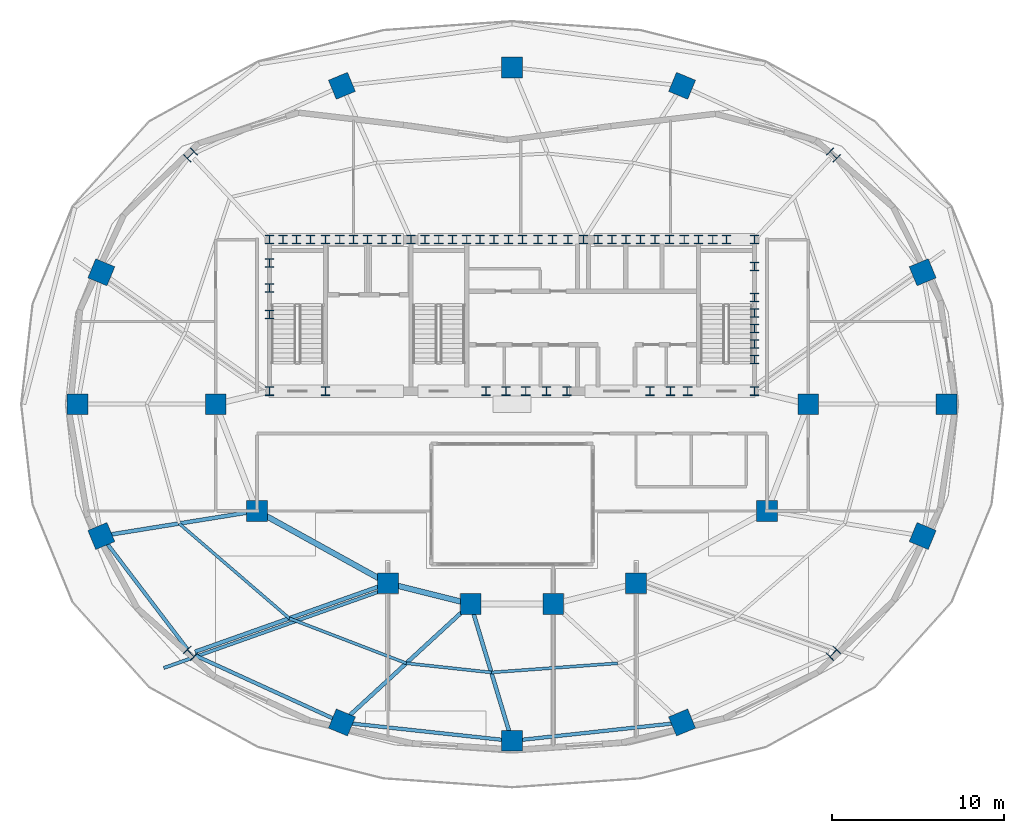
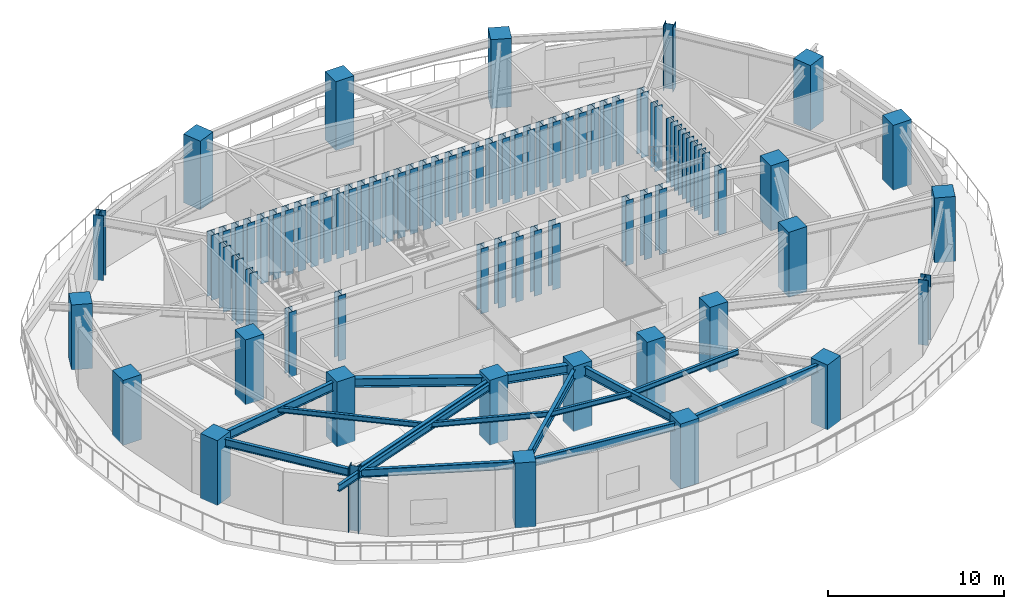
# One storey, part 1 of 11: 78 columns, 15 beams.
"""IFC4 building model written with IfcOpenShell, lengths in metres."""

from ifc_helpers import new_model, si_unit, direction, frame, origin, origin_2d, place, context, subcontext, project, spatial, rectangle, i_section, extrude, material, material_profile, profile_set, type_object, element, save


model = new_model("IFC4")

# Units and contexts
model_context = context("Model", 3, precision=1e-05, world=origin(), true_north=direction((0.0, 1.0)))
body_context = subcontext(model_context, "Body", "Model", "MODEL_VIEW")
ifc_project = project(units=[si_unit("LENGTHUNIT", "METRE"), si_unit("AREAUNIT", "SQUARE_METRE"), si_unit("VOLUMEUNIT", "CUBIC_METRE"), si_unit("PLANEANGLEUNIT", "RADIAN"), si_unit("MASSUNIT", "GRAM", prefix="KILO")], contexts=[model_context])

# Site, building, storey
site_placement = place(None, origin())
site = spatial("IfcSite", under=ifc_project, at=site_placement, CompositionType="ELEMENT")
building_placement = place(site_placement, origin())
building = spatial("IfcBuilding", under=site, at=building_placement, Name="Haldorwick Loom Tower", CompositionType="ELEMENT")
storey_placement = place(building_placement, frame((0.0, 0.0, 131.14990234375)))
storey = spatial("IfcBuildingStorey", under=building, at=storey_placement, Name="L35", CompositionType="ELEMENT", Elevation=131.14990234375)

# Columns
ifc_material_1 = material(Name="Concrete C60 (60 MPa)", Category="concrete")
ifc_material_profile_1 = material_profile(ifc_material_1, rectangle(XDim=1.199951171875, YDim=1.199951171875, at=origin_2d()), Name="RC1200X1200", Category="concrete")
ifc_profile_set_1 = profile_set([ifc_material_profile_1], Name="Concrete C60 (60 MPa)")
column_type_1 = type_object("IfcColumnType", Name="STR-COL-RC1200", PredefinedType="COLUMN", material=ifc_profile_set_1)
for number, where, z_axis, x_axis, name in (
    (1, (53.199951171875, 26.0, 0.0), (0.0, 0.0, 1.0), (1.0, 0.0, 0.0), "L35 Inner Column IC-01"),
    (2, (50.800048828125, 19.800048828125, 0.0), (0.0, 0.0, 1.0), (1.0, 0.0, 0.0), "L35 Inner Column IC-02"),
    (3, (43.199951171875, 15.60009765625, 0.0), (0.0, 0.0, 1.0), (1.0, 0.0, 0.0), "L35 Inner Column IC-03"),
    (4, (38.39990234375, 14.39990234375, 0.0), (0.0, 0.0, 1.0), (1.0, 0.0, 0.0), "L35 Inner Column IC-04"),
    (5, (33.60009765625, 14.39990234375, 0.0), (0.0, 0.0, 1.0), (1.0, 0.0, 0.0), "L35 Inner Column IC-05"),
    (6, (28.800048828125, 15.60009765625, 0.0), (0.0, 0.0, 1.0), (1.0, 0.0, 0.0), "L35 Inner Column IC-06"),
    (7, (21.199951171875, 19.800048828125, 0.0), (0.0, 0.0, 1.0), (1.0, 0.0, 0.0), "L35 Inner Column IC-07"),
    (8, (18.800048828125, 26.0, 0.0), (0.0, 0.0, 1.0), (1.0, 0.0, 0.0), "L35 Inner Column IC-08"),
    (9, (61.217041015625, 26.0, 0.0), (0.0, 0.0, 1.0), (1.0, 0.0, 0.0), "L35 Perimeter Pier Column P01"),
    (10, (59.836181640625, 33.65380859375, 0.0), (0.0, 0.0, 1.0), (0.923879532511, 0.382683432365, 0.0), "L35 Perimeter Pier Column P02"),
):
    element("IfcColumn", number, at=place(storey_placement, frame(where, z_axis=z_axis, x_axis=x_axis)), inside=storey, type_object=column_type_1, Name=name, PredefinedType="COLUMN", context=body_context, shape_type="SweptSolid", body=[
        extrude(rectangle(XDim=1.199951171875, YDim=1.199951171875, at=origin_2d()), origin(), (0.0, 0.0, 1.0), 4.5),
    ])
for number, where, z_axis, x_axis, name in (
    (11, (45.873291015625, 44.4775390625, -0.260009765625), (0.0, 0.0, 1.0), (0.382683432365, 0.923879532511, 0.0), "L35 Perimeter Pier Column P04"),
    (12, (36.0, 45.544677734375, -0.260009765625), (0.0, 0.0, 1.0), (0.0, 1.0, 0.0), "L35 Perimeter Pier Column P05"),
    (13, (26.126708984375, 44.4775390625, -0.260009765625), (0.0, 0.0, 1.0), (-0.382683432365, 0.923879532511, 0.0), "L35 Perimeter Pier Column P06"),
):
    element("IfcColumn", number, at=place(storey_placement, frame(where, z_axis=z_axis, x_axis=x_axis)), inside=storey, type_object=column_type_1, Name=name, PredefinedType="COLUMN", context=body_context, shape_type="SweptSolid", body=[
        extrude(rectangle(XDim=1.199951171875, YDim=1.199951171875, at=origin_2d()), origin(), (0.0, 0.0, 1.0), 4.760009765625),
    ])
for number, where, z_axis, x_axis, name in (
    (14, (12.163818359375, 33.65380859375, 0.0), (0.0, 0.0, 1.0), (-0.923879532511, 0.382683432365, 0.0), "L35 Perimeter Pier Column P08"),
    (15, (10.782958984375, 26.0, 0.0), (0.0, 0.0, 1.0), (-1.0, 0.0, 0.0), "L35 Perimeter Pier Column P09"),
    (16, (12.163818359375, 18.34619140625, 0.0), (0.0, 0.0, 1.0), (-0.923879532511, -0.382683432365, 0.0), "L35 Perimeter Pier Column P10"),
    (17, (26.126708984375, 7.5224609375, 0.0), (0.0, 0.0, 1.0), (-0.382683432365, -0.923879532511, 0.0), "L35 Perimeter Pier Column P12"),
    (18, (36.0, 6.455322265625, 0.0), (0.0, 0.0, 1.0), (0.0, -1.0, 0.0), "L35 Perimeter Pier Column P13"),
    (19, (45.873291015625, 7.5224609375, 0.0), (0.0, 0.0, 1.0), (0.382683432365, -0.923879532511, 0.0), "L35 Perimeter Pier Column P14"),
    (20, (59.836181640625, 18.34619140625, 0.0), (0.0, 0.0, 1.0), (0.923879532511, -0.382683432365, 0.0), "L35 Perimeter Pier Column P16"),
):
    element("IfcColumn", number, at=place(storey_placement, frame(where, z_axis=z_axis, x_axis=x_axis)), inside=storey, type_object=column_type_1, Name=name, PredefinedType="COLUMN", context=body_context, shape_type="SweptSolid", body=[
        extrude(rectangle(XDim=1.199951171875, YDim=1.199951171875, at=origin_2d()), origin(), (0.0, 0.0, 1.0), 4.5),
    ])
ifc_material_2 = material(Name="Steel CSA G40.21 350WT", Category="steel")
ifc_material_profile_2 = material_profile(ifc_material_2, i_section(OverallWidth=0.5, OverallDepth=0.5, WebThickness=0.02197265625, FlangeThickness=0.031982421875, at=origin_2d()), Name="WWF500X500", Category="steel")
ifc_profile_set_2 = profile_set([ifc_material_profile_2], Name="Steel CSA G40.21 350WT")
column_type_2 = type_object("IfcColumnType", Name="STR-COL-WWF500", PredefinedType="COLUMN", material=ifc_profile_set_2)
for number, where, z_axis, x_axis, name in (
    (21, (21.929931640625, 35.550048828125, 0.0), (0.0, 0.0, 1.0), (1.0, 0.0, 0.0), "L35 Core Pilaster CB-01"),
    (22, (23.5, 35.550048828125, 0.0), (0.0, 0.0, 1.0), (1.0, 0.0, 0.0), "L35 Core Pilaster CB-02"),
    (23, (25.169921875, 35.550048828125, 0.0), (0.0, 0.0, 1.0), (1.0, 0.0, 0.0), "L35 Core Pilaster CB-03"),
    (24, (26.800048828125, 35.550048828125, 0.0), (0.0, 0.0, 1.0), (1.0, 0.0, 0.0), "L35 Core Pilaster CB-04"),
    (25, (28.449951171875, 35.550048828125, 0.0), (0.0, 0.0, 1.0), (1.0, 0.0, 0.0), "L35 Core Pilaster CB-05"),
    (26, (30.1298828125, 35.550048828125, 0.0), (0.0, 0.0, 1.0), (1.0, 0.0, 0.0), "L35 Core Pilaster CB-06"),
    (27, (31.75, 35.550048828125, 0.0), (0.0, 0.0, 1.0), (1.0, 0.0, 0.0), "L35 Core Pilaster CB-07"),
    (28, (33.3701171875, 35.550048828125, 0.0), (0.0, 0.0, 1.0), (1.0, 0.0, 0.0), "L35 Core Pilaster CB-08"),
    (29, (34.949951171875, 35.550048828125, 0.0), (0.0, 0.0, 1.0), (1.0, 0.0, 0.0), "L35 Core Pilaster CB-09"),
    (30, (36.60009765625, 35.550048828125, 0.0), (0.0, 0.0, 1.0), (1.0, 0.0, 0.0), "L35 Core Pilaster CB-10"),
    (31, (38.35009765625, 35.550048828125, 0.0), (0.0, 0.0, 1.0), (1.0, 0.0, 0.0), "L35 Core Pilaster CB-11"),
    (32, (40.14990234375, 35.550048828125, 0.0), (0.0, 0.0, 1.0), (1.0, 0.0, 0.0), "L35 Core Pilaster CB-12"),
    (33, (41.800048828125, 35.550048828125, 0.0), (0.0, 0.0, 1.0), (1.0, 0.0, 0.0), "L35 Core Pilaster CB-13"),
    (34, (43.449951171875, 35.550048828125, 0.0), (0.0, 0.0, 1.0), (1.0, 0.0, 0.0), "L35 Core Pilaster CB-14"),
    (35, (45.14990234375, 35.550048828125, 0.0), (0.0, 0.0, 1.0), (1.0, 0.0, 0.0), "L35 Core Pilaster CB-15"),
    (36, (46.830078125, 35.550048828125, 0.0), (0.0, 0.0, 1.0), (1.0, 0.0, 0.0), "L35 Core Pilaster CB-16"),
    (37, (48.449951171875, 35.550048828125, 0.0), (0.0, 0.0, 1.0), (1.0, 0.0, 0.0), "L35 Core Pilaster CB-17"),
    (38, (50.070068359375, 35.550048828125, 0.0), (0.0, 0.0, 1.0), (1.0, 0.0, 0.0), "L35 Core Pilaster CB-18"),
    (39, (21.929931640625, 26.75, 0.0), (0.0, 0.0, 1.0), (1.0, 0.0, 0.0), "L35 Core Pilaster CB-19"),
    (40, (25.169921875, 26.75, 0.0), (0.0, 0.0, 1.0), (1.0, 0.0, 0.0), "L35 Core Pilaster CB-20"),
    (41, (34.5, 26.75, 0.0), (0.0, 0.0, 1.0), (1.0, 0.0, 0.0), "L35 Core Pilaster CB-21"),
    (42, (36.800048828125, 26.75, 0.0), (0.0, 0.0, 1.0), (1.0, 0.0, 0.0), "L35 Core Pilaster CB-22"),
    (43, (39.199951171875, 26.75, 0.0), (0.0, 0.0, 1.0), (1.0, 0.0, 0.0), "L35 Core Pilaster CB-23"),
    (44, (45.199951171875, 26.75, 0.0), (0.0, 0.0, 1.0), (1.0, 0.0, 0.0), "L35 Core Pilaster CB-24"),
    (45, (50.070068359375, 26.75, 0.0), (0.0, 0.0, 1.0), (1.0, 0.0, 0.0), "L35 Core Pilaster CB-25"),
    (46, (21.929931640625, 31.199951171875, 0.0), (0.0, 0.0, 1.0), (1.0, 0.0, 0.0), "L35 Core Pilaster CB-26"),
    (47, (21.929931640625, 32.75, 0.0), (0.0, 0.0, 1.0), (1.0, 0.0, 0.0), "L35 Core Pilaster CB-27"),
    (48, (21.929931640625, 34.199951171875, 0.0), (0.0, 0.0, 1.0), (1.0, 0.0, 0.0), "L35 Core Pilaster CB-28"),
    (49, (50.070068359375, 28.60009765625, 0.0), (0.0, 0.0, 1.0), (1.0, 0.0, 0.0), "L35 Core Pilaster CB-29"),
    (50, (50.070068359375, 30.39990234375, 0.0), (0.0, 0.0, 1.0), (1.0, 0.0, 0.0), "L35 Core Pilaster CB-30"),
    (51, (50.070068359375, 32.199951171875, 0.0), (0.0, 0.0, 1.0), (1.0, 0.0, 0.0), "L35 Core Pilaster CB-31"),
    (52, (50.070068359375, 34.0, 0.0), (0.0, 0.0, 1.0), (1.0, 0.0, 0.0), "L35 Core Pilaster CB-32"),
    (53, (22.699951171875, 35.550048828125, 0.0), (0.0, 0.0, 1.0), (1.0, 0.0, 0.0), "L35 Core Pilaster CB-33"),
    (54, (27.6201171875, 35.550048828125, 0.0), (0.0, 0.0, 1.0), (1.0, 0.0, 0.0), "L35 Core Pilaster CB-34"),
    (55, (32.550048828125, 35.550048828125, 0.0), (0.0, 0.0, 1.0), (1.0, 0.0, 0.0), "L35 Core Pilaster CB-35"),
    (56, (37.5, 35.550048828125, 0.0), (0.0, 0.0, 1.0), (1.0, 0.0, 0.0), "L35 Core Pilaster CB-36"),
    (57, (42.6201171875, 35.550048828125, 0.0), (0.0, 0.0, 1.0), (1.0, 0.0, 0.0), "L35 Core Pilaster CB-37"),
    (58, (47.64990234375, 35.550048828125, 0.0), (0.0, 0.0, 1.0), (1.0, 0.0, 0.0), "L35 Core Pilaster CB-38"),
    (59, (24.300048828125, 35.550048828125, 0.0), (0.0, 0.0, 1.0), (1.0, 0.0, 0.0), "L35 Core Pilaster CB-39"),
    (60, (26.0, 35.550048828125, 0.0), (0.0, 0.0, 1.0), (1.0, 0.0, 0.0), "L35 Core Pilaster CB-40"),
    (61, (29.300048828125, 35.550048828125, 0.0), (0.0, 0.0, 1.0), (1.0, 0.0, 0.0), "L35 Core Pilaster CB-41"),
    (62, (30.949951171875, 35.550048828125, 0.0), (0.0, 0.0, 1.0), (1.0, 0.0, 0.0), "L35 Core Pilaster CB-42"),
    (63, (34.14990234375, 35.550048828125, 0.0), (0.0, 0.0, 1.0), (1.0, 0.0, 0.0), "L35 Core Pilaster CB-43"),
    (64, (35.800048828125, 35.550048828125, 0.0), (0.0, 0.0, 1.0), (1.0, 0.0, 0.0), "L35 Core Pilaster CB-44"),
    (65, (39.25, 35.550048828125, 0.0), (0.0, 0.0, 1.0), (1.0, 0.0, 0.0), "L35 Core Pilaster CB-45"),
    (66, (41.0, 35.550048828125, 0.0), (0.0, 0.0, 1.0), (1.0, 0.0, 0.0), "L35 Core Pilaster CB-46"),
    (67, (44.300048828125, 35.550048828125, 0.0), (0.0, 0.0, 1.0), (1.0, 0.0, 0.0), "L35 Core Pilaster CB-47"),
    (68, (46.0, 35.550048828125, 0.0), (0.0, 0.0, 1.0), (1.0, 0.0, 0.0), "L35 Core Pilaster CB-48"),
    (69, (50.070068359375, 29.5, 0.0), (0.0, 0.0, 1.0), (1.0, 0.0, 0.0), "L35 Core Pilaster CB-49"),
    (70, (50.070068359375, 31.300048828125, 0.0), (0.0, 0.0, 1.0), (1.0, 0.0, 0.0), "L35 Core Pilaster CB-50"),
    (71, (35.64990234375, 26.75, 0.0), (0.0, 0.0, 1.0), (1.0, 0.0, 0.0), "L35 Core Pilaster CB-51"),
    (72, (38.0, 26.75, 0.0), (0.0, 0.0, 1.0), (1.0, 0.0, 0.0), "L35 Core Pilaster CB-52"),
    (73, (44.0, 26.75, 0.0), (0.0, 0.0, 1.0), (1.0, 0.0, 0.0), "L35 Core Pilaster CB-53"),
    (74, (46.199951171875, 26.75, 0.0), (0.0, 0.0, 1.0), (1.0, 0.0, 0.0), "L35 Core Pilaster CB-54"),
):
    element("IfcColumn", number, at=place(storey_placement, frame(where, z_axis=z_axis, x_axis=x_axis)), inside=storey, type_object=column_type_2, Name=name, PredefinedType="COLUMN", context=body_context, shape_type="SweptSolid", body=[
        extrude(i_section(OverallWidth=0.5, OverallDepth=0.5, WebThickness=0.02197265625, FlangeThickness=0.031982421875, at=origin_2d()), origin(), (0.0, 0.0, 1.0), 4.5),
    ])
ifc_material_profile_3 = material_profile(ifc_material_2, i_section(OverallWidth=0.60009765625, OverallDepth=0.60009765625, WebThickness=0.02490234375, FlangeThickness=0.035888671875, at=origin_2d()), Name="WWF600X600", Category="steel")
ifc_profile_set_3 = profile_set([ifc_material_profile_3], Name="Steel CSA G40.21 350WT")
column_type_3 = type_object("IfcColumnType", Name="STR-COL-WWF600", PredefinedType="COLUMN", material=ifc_profile_set_3)
for number, where, z_axis, x_axis, name in (
    (75, (54.655517578125, 40.464111328125, 0.0), (0.0, 0.0, 1.0), (0.707106781187, 0.707106781187, 0.0), "L35 Perimeter Pier Column P03"),
    (76, (17.344482421875, 40.464111328125, 0.0), (0.0, 0.0, 1.0), (-0.707106781187, 0.707106781187, 0.0), "L35 Perimeter Pier Column P07"),
    (77, (17.344482421875, 11.535888671875, 0.0), (0.0, 0.0, 1.0), (-0.707106781187, -0.707106781187, 0.0), "L35 Perimeter Pier Column P11"),
    (78, (54.655517578125, 11.535888671875, 0.0), (0.0, 0.0, 1.0), (0.707106781187, -0.707106781187, 0.0), "L35 Perimeter Pier Column P15"),
):
    element("IfcColumn", number, at=place(storey_placement, frame(where, z_axis=z_axis, x_axis=x_axis)), inside=storey, type_object=column_type_3, Name=name, PredefinedType="COLUMN", context=body_context, shape_type="SweptSolid", body=[
        extrude(i_section(OverallWidth=0.60009765625, OverallDepth=0.60009765625, WebThickness=0.02490234375, FlangeThickness=0.035888671875, at=origin_2d()), origin(), (0.0, 0.0, 1.0), 4.5),
    ])

# Beams
ifc_material_3 = material(Name="Steel CSA G40.21 350W", Category="steel")
ifc_material_profile_4 = material_profile(ifc_material_3, i_section(OverallWidth=0.193115234375, OverallDepth=0.466064453125, WebThickness=0.011474609375, FlangeThickness=0.01904296875, at=origin_2d()), Name="W460X97", Category="steel")
ifc_profile_set_4 = profile_set([ifc_material_profile_4], Name="Steel CSA G40.21 350W")
beam_type_1 = type_object("IfcBeamType", Name="STR-BM-BAL460", PredefinedType="BEAM", material=ifc_profile_set_4)
beam_1_placement = place(storey_placement, frame((28.403564453125, 15.162109375, 4.027099609375), z_axis=(-0.942447955832, -0.334352883266, 0.0), x_axis=(0.334352883266, -0.942447955832, 0.0)))
element("IfcBeam", 79, at=beam_1_placement, inside=storey, type_object=beam_type_1, Name="L35 Continuous Back-Spanned Balcony Beam 2", PredefinedType="BEAM", context=body_context, shape_type="SweptSolid", body=[
    extrude(i_section(OverallWidth=0.193115234375, OverallDepth=0.466064453125, WebThickness=0.011474609375, FlangeThickness=0.01904296875, at=origin_2d()), origin(), (0.0, 0.0, 1.0), 13.385009765625),
])
ifc_material_profile_5 = material_profile(ifc_material_3, i_section(OverallWidth=0.172119140625, OverallDepth=0.35791015625, WebThickness=0.0078125, FlangeThickness=0.01318359375, at=origin_2d()), Name="W360X57", Category="steel")
ifc_profile_set_5 = profile_set([ifc_material_profile_5], Name="Steel CSA G40.21 350W")
beam_type_2 = type_object("IfcBeamType", Name="STR-BM-J360", PredefinedType="JOIST", material=ifc_profile_set_5)
beam_2_placement = place(storey_placement, frame((16.681884765625, 19.072998046875, 4.0810546875), z_axis=(0.75763401328, -0.652679631918, 0.0), x_axis=(0.652679631918, 0.75763401328, 0.0)))
element("IfcBeam", 80, at=beam_2_placement, inside=storey, type_object=beam_type_2, Name="L35 Mid-Bay Secondary Joist 10", PredefinedType="JOIST", context=body_context, shape_type="SweptSolid", body=[
    extrude(i_section(OverallWidth=0.172119140625, OverallDepth=0.35791015625, WebThickness=0.0078125, FlangeThickness=0.01318359375, at=origin_2d()), origin(), (0.0, 0.0, 1.0), 8.4345703125),
])
beam_3_placement = place(storey_placement, frame((23.072265625, 13.56787109375, 4.0810546875), z_axis=(0.933586737031, -0.358351509609, 0.0), x_axis=(0.358351509609, 0.933586737031, 0.0)))
element("IfcBeam", 81, at=beam_3_placement, inside=storey, type_object=beam_type_2, Name="L35 Mid-Bay Secondary Joist 11", PredefinedType="JOIST", context=body_context, shape_type="SweptSolid", body=[
    extrude(i_section(OverallWidth=0.172119140625, OverallDepth=0.35791015625, WebThickness=0.0078125, FlangeThickness=0.01318359375, at=origin_2d()), origin(), (0.0, 0.0, 1.0), 7.274169921875),
])
beam_4_placement = place(storey_placement, frame((29.86328125, 10.961181640625, 4.0810546875), z_axis=(0.994212584227, -0.107430616514, 0.0), x_axis=(0.107430616514, 0.994212584227, 0.0)))
element("IfcBeam", 82, at=beam_4_placement, inside=storey, type_object=beam_type_2, Name="L35 Mid-Bay Secondary Joist 12", PredefinedType="JOIST", context=body_context, shape_type="SweptSolid", body=[
    extrude(i_section(OverallWidth=0.172119140625, OverallDepth=0.35791015625, WebThickness=0.0078125, FlangeThickness=0.01318359375, at=origin_2d()), origin(), (0.0, 0.0, 1.0), 4.965576171875),
])
beam_5_placement = place(storey_placement, frame((34.800048828125, 10.427734375, 4.0810546875), z_axis=(0.997367082818, 0.072518288109, 0.0), x_axis=(-0.072518288109, 0.997367082818, 0.0)))
element("IfcBeam", 83, at=beam_5_placement, inside=storey, type_object=beam_type_2, Name="L35 Mid-Bay Secondary Joist 13", PredefinedType="JOIST", context=body_context, shape_type="SweptSolid", body=[
    extrude(i_section(OverallWidth=0.172119140625, OverallDepth=0.35791015625, WebThickness=0.0078125, FlangeThickness=0.01318359375, at=origin_2d()), origin(), (0.0, 0.0, 1.0), 7.35595703125),
])
ifc_material_profile_6 = material_profile(ifc_material_3, i_section(OverallWidth=0.2119140625, OverallDepth=0.5439453125, WebThickness=0.01318359375, FlangeThickness=0.021240234375, at=origin_2d()), Name="W530X123", Category="steel")
ifc_profile_set_6 = profile_set([ifc_material_profile_6], Name="Steel CSA G40.21 350W")
beam_type_3 = type_object("IfcBeamType", Name="STR-BM-SP530", PredefinedType="SPANDREL", material=ifc_profile_set_6)
beam_6_placement = place(storey_placement, frame((12.478759765625, 17.932373046875, 3.988037109375), z_axis=(0.605421356486, -0.795905133236, 0.0), x_axis=(0.795905133236, 0.605421356486, 0.0)))
element("IfcBeam", 84, at=beam_6_placement, inside=storey, type_object=beam_type_3, Name="L35 Perimeter Spandrel 10", PredefinedType="SPANDREL", context=body_context, shape_type="SweptSolid", body=[
    extrude(i_section(OverallWidth=0.2119140625, OverallDepth=0.5439453125, WebThickness=0.01318359375, FlangeThickness=0.021240234375, at=origin_2d()), origin(), (0.0, 0.0, 1.0), 7.761962890625),
])
beam_7_placement = place(storey_placement, frame((17.594482421875, 11.42138671875, 3.988037109375), z_axis=(0.909534296496, -0.415628877121, 0.0), x_axis=(0.415628877121, 0.909534296496, 0.0)))
element("IfcBeam", 85, at=beam_7_placement, inside=storey, type_object=beam_type_3, Name="L35 Perimeter Spandrel 11", PredefinedType="SPANDREL", context=body_context, shape_type="SweptSolid", body=[
    extrude(i_section(OverallWidth=0.2119140625, OverallDepth=0.5439453125, WebThickness=0.01318359375, FlangeThickness=0.021240234375, at=origin_2d()), origin(), (0.0, 0.0, 1.0), 8.86083984375),
])
for number, where, z_axis, x_axis, name in (
    (86, (26.643798828125, 7.466552734375, 3.988037109375), (0.994210140187, -0.107453232386, 0.0), (0.107453232386, 0.994210140187, 0.0), "L35 Perimeter Spandrel 12"),
    (87, (36.51708984375, 6.51123046875, 3.988037109375), (0.994210140187, 0.107453232386, 0.0), (-0.107453232386, 0.994210140187, 0.0), "L35 Perimeter Spandrel 13"),
):
    element("IfcBeam", number, at=place(storey_placement, frame(where, z_axis=z_axis, x_axis=x_axis)), inside=storey, type_object=beam_type_3, Name=name, PredefinedType="SPANDREL", context=body_context, shape_type="SweptSolid", body=[
        extrude(i_section(OverallWidth=0.2119140625, OverallDepth=0.5439453125, WebThickness=0.01318359375, FlangeThickness=0.021240234375, at=origin_2d()), origin(), (0.0, 0.0, 1.0), 8.890625),
    ])
ifc_material_profile_7 = material_profile(ifc_material_3, i_section(OverallWidth=0.324951171875, OverallDepth=0.615966796875, WebThickness=0.013916015625, FlangeThickness=0.021484375, at=origin_2d()), Name="W610X174", Category="steel")
ifc_profile_set_7 = profile_set([ifc_material_profile_7], Name="Steel CSA G40.21 350W")
beam_type_4 = type_object("IfcBeamType", Name="STR-BM-W610A", PredefinedType="BEAM", material=ifc_profile_set_7)
beam_8_placement = place(storey_placement, frame((33.095458984375, 14.526123046875, 3.9521484375), z_axis=(-0.970142500145, 0.242535625036, 0.0), x_axis=(-0.242535625036, -0.970142500145, 0.0)))
element("IfcBeam", 88, at=beam_8_placement, inside=storey, type_object=beam_type_4, Name="L35 Inner Ring Girder 6", PredefinedType="BEAM", context=body_context, shape_type="SweptSolid", body=[
    extrude(i_section(OverallWidth=0.324951171875, OverallDepth=0.615966796875, WebThickness=0.013916015625, FlangeThickness=0.021484375, at=origin_2d()), origin(), (0.0, 0.0, 1.0), 3.90771484375),
])
beam_9_placement = place(storey_placement, frame((28.344970703125, 15.8515625, 3.9521484375), z_axis=(-0.875244382146, 0.483680960471, 0.0), x_axis=(-0.483680960471, -0.875244382146, 0.0)))
element("IfcBeam", 89, at=beam_9_placement, inside=storey, type_object=beam_type_4, Name="L35 Inner Ring Girder 7", PredefinedType="BEAM", context=body_context, shape_type="SweptSolid", body=[
    extrude(i_section(OverallWidth=0.324951171875, OverallDepth=0.615966796875, WebThickness=0.013916015625, FlangeThickness=0.021484375, at=origin_2d()), origin(), (0.0, 0.0, 1.0), 7.6435546875),
])
ifc_material_profile_8 = material_profile(ifc_material_3, i_section(OverallWidth=0.22998046875, OverallDepth=0.616943359375, WebThickness=0.01318359375, FlangeThickness=0.022216796875, at=origin_2d()), Name="W610X140", Category="steel")
ifc_profile_set_8 = profile_set([ifc_material_profile_8], Name="Steel CSA G40.21 350W")
beam_type_5 = type_object("IfcBeamType", Name="STR-BM-W610B", PredefinedType="BEAM", material=ifc_profile_set_8)
beam_10_placement = place(storey_placement, frame((20.6865234375, 19.71728515625, 3.95166015625), z_axis=(-0.987308639475, -0.158813256432, 0.0), x_axis=(0.158813256432, -0.987308639475, 0.0)))
element("IfcBeam", 90, at=beam_10_placement, inside=storey, type_object=beam_type_5, Name="L35 Radial Floor Girder 10", PredefinedType="BEAM", context=body_context, shape_type="SweptSolid", body=[
    extrude(i_section(OverallWidth=0.22998046875, OverallDepth=0.616943359375, WebThickness=0.01318359375, FlangeThickness=0.022216796875, at=origin_2d()), origin(), (0.0, 0.0, 1.0), 8.1123046875),
])
beam_11_placement = place(storey_placement, frame((28.309814453125, 15.426025390625, 3.95166015625), z_axis=(-0.9424463153, -0.334357507433, 0.0), x_axis=(0.334357507433, -0.9424463153, 0.0)))
element("IfcBeam", 91, at=beam_11_placement, inside=storey, type_object=beam_type_5, Name="L35 Radial Floor Girder 11", PredefinedType="BEAM", context=body_context, shape_type="SweptSolid", body=[
    extrude(i_section(OverallWidth=0.22998046875, OverallDepth=0.616943359375, WebThickness=0.01318359375, FlangeThickness=0.022216796875, at=origin_2d()), origin(), (0.0, 0.0, 1.0), 11.360107421875),
])
beam_12_placement = place(storey_placement, frame((33.21728515625, 14.0478515625, 3.95166015625), z_axis=(-0.735810902934, -0.677187060658, 0.0), x_axis=(0.677187060658, -0.735810902934, 0.0)))
element("IfcBeam", 92, at=beam_12_placement, inside=storey, type_object=beam_type_5, Name="L35 Radial Floor Girder 12", PredefinedType="BEAM", context=body_context, shape_type="SweptSolid", body=[
    extrude(i_section(OverallWidth=0.22998046875, OverallDepth=0.616943359375, WebThickness=0.01318359375, FlangeThickness=0.022216796875, at=origin_2d()), origin(), (0.0, 0.0, 1.0), 9.1162109375),
])
beam_13_placement = place(storey_placement, frame((33.75048828125, 13.902099609375, 3.95166015625), z_axis=(0.28917091681, -0.957277483738, 0.0), x_axis=(0.957277483738, 0.28917091681, 0.0)))
element("IfcBeam", 93, at=beam_13_placement, inside=storey, type_object=beam_type_5, Name="L35 Radial Floor Girder 13", PredefinedType="BEAM", context=body_context, shape_type="SweptSolid", body=[
    extrude(i_section(OverallWidth=0.22998046875, OverallDepth=0.616943359375, WebThickness=0.01318359375, FlangeThickness=0.022216796875, at=origin_2d()), origin(), (0.0, 0.0, 1.0), 7.259033203125),
])

save(model, "model.ifc")
